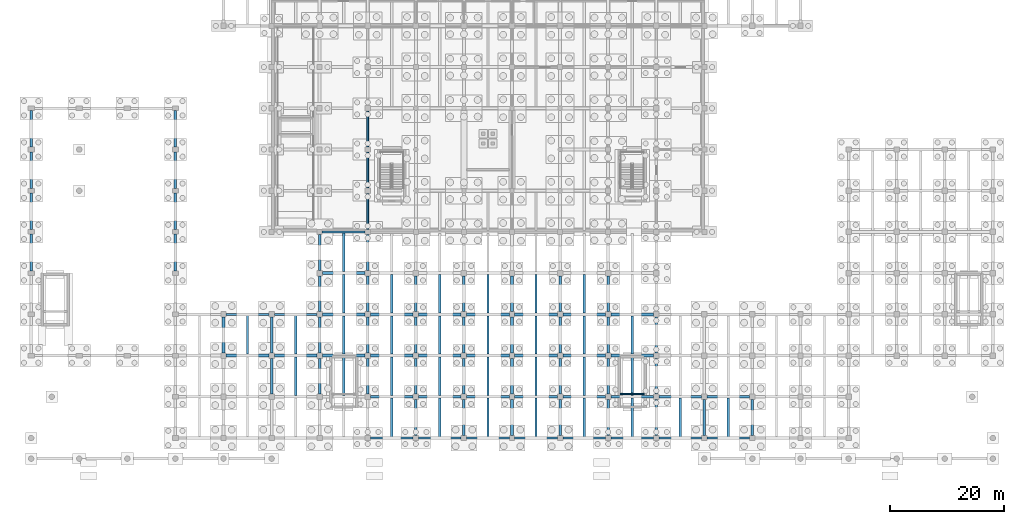
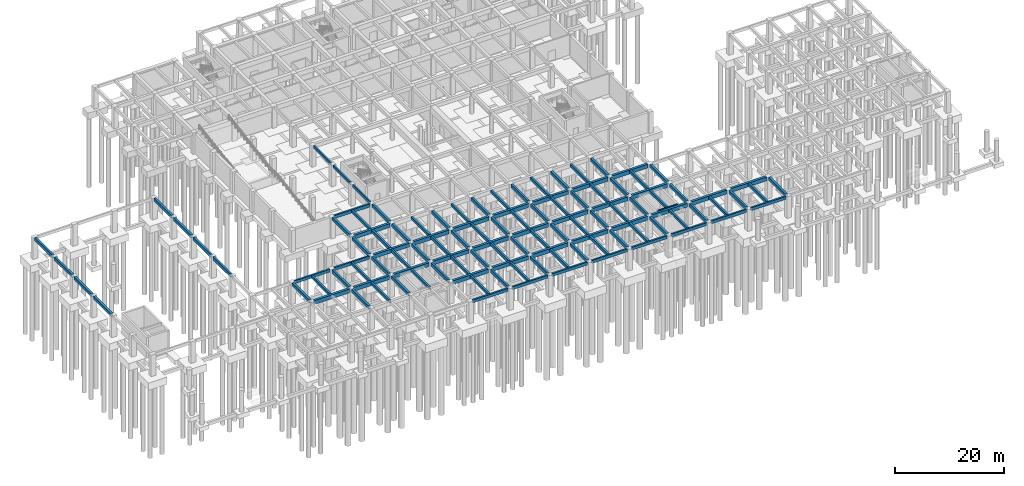
# One storey, part 13 of 26: 116 beams.
"""IFC4 building model written with IfcOpenShell, lengths in metres."""

from ifc_helpers import new_model, si_unit, direction, frame, origin, origin_2d, place, context, subcontext, project, spatial, rectangle, extrude, material, material_profile, profile_set, type_object, element, save


model = new_model("IFC4")

# Units and contexts
model_context = context("Model", 3, precision=1e-05, world=origin(), true_north=direction((0.0, 1.0)))
body_context = subcontext(model_context, "Body", "Model", "MODEL_VIEW")
ifc_project = project(units=[si_unit("LENGTHUNIT", "METRE"), si_unit("AREAUNIT", "SQUARE_METRE"), si_unit("VOLUMEUNIT", "CUBIC_METRE"), si_unit("PLANEANGLEUNIT", "RADIAN"), si_unit("MASSUNIT", "GRAM", prefix="KILO")], contexts=[model_context])

# Site, building, storey
site_placement = place(None, origin())
site = spatial("IfcSite", under=ifc_project, at=site_placement, CompositionType="ELEMENT")
building_placement = place(site_placement, origin())
building = spatial("IfcBuilding", under=site, at=building_placement, Name="Kenerak Square Central Library", CompositionType="ELEMENT")
storey_placement = place(building_placement, frame((0.0, 0.0, -4.800048828125)))
storey = spatial("IfcBuildingStorey", under=building, at=storey_placement, Name="B1", CompositionType="ELEMENT", Elevation=-4.800048828125)

# Beams
ifc_material = material(Name="Concrete C40/50", Category="concrete")
ifc_material_profile_1 = material_profile(ifc_material, rectangle(XDim=0.300048828125, YDim=0.60009765625, at=origin_2d()), Name="RC 300x600")
ifc_profile_set_1 = profile_set([ifc_material_profile_1], Name="Concrete C40/50")
beam_type_1 = type_object("IfcBeamType", Name="Courtyard Spandrel Beam SP-02 RC 300x600 C40/50", PredefinedType="SPANDREL", material=ifc_profile_set_1)
for number, where, z_axis, x_axis, name in (
    (1, (66.800048828125, 53.25, 4.5), (0.0, 1.0, 0.0), (-1.0, 0.0, 0.0), "Beam SP-02 B1 0198"),
    (2, (66.800048828125, 60.449951171875, 4.5), (0.0, 1.0, 0.0), (-1.0, 0.0, 0.0), "Beam SP-02 B1 0199"),
    (3, (66.800048828125, 67.64990234375, 4.5), (0.0, 1.0, 0.0), (-1.0, 0.0, 0.0), "Beam SP-02 B1 0200"),
):
    element("IfcBeam", number, at=place(storey_placement, frame(where, z_axis=z_axis, x_axis=x_axis)), inside=storey, type_object=beam_type_1, Name=name, PredefinedType="SPANDREL", context=body_context, shape_type="SweptSolid", body=[
        extrude(rectangle(XDim=0.300048828125, YDim=0.60009765625, at=origin_2d()), origin(), (0.0, 0.0, 1.0), 6.300048828125),
    ])
ifc_material_profile_2 = material_profile(ifc_material, rectangle(XDim=0.35009765625, YDim=0.699951171875, at=origin_2d()), Name="RC 350x700")
ifc_profile_set_2 = profile_set([ifc_material_profile_2], Name="Concrete C40/50")
beam_type_2 = type_object("IfcBeamType", Name="Expressed Spandrel Beam SP-01 RC 350x700 C40/50", PredefinedType="SPANDREL", material=ifc_profile_set_2)
beam_1_placement = place(storey_placement, frame((58.85009765625, 52.800048828125, 4.449951171875), z_axis=(1.0, 0.0, 0.0), x_axis=(0.0, 1.0, 0.0)))
element("IfcBeam", 4, at=beam_1_placement, inside=storey, type_object=beam_type_2, Name="Beam SP-01 B1 0076", PredefinedType="SPANDREL", context=body_context, shape_type="SweptSolid", body=[
    extrude(rectangle(XDim=0.35009765625, YDim=0.699951171875, at=origin_2d()), origin(), (0.0, 0.0, 1.0), 7.5),
])
ifc_material_profile_3 = material_profile(ifc_material, rectangle(XDim=0.300048828125, YDim=0.5, at=origin_2d()), Name="RC 300x500")
ifc_profile_set_3 = profile_set([ifc_material_profile_3], Name="Concrete C40/50")
beam_type_3 = type_object("IfcBeamType", Name="Landing Support Beam B-08 RC 300x500 C40/50", PredefinedType="BEAM", material=ifc_profile_set_3)
beam_2_placement = place(storey_placement, frame((110.919921875, 24.510009765625, 4.550048828125), z_axis=(1.0, 0.0, 0.0), x_axis=(0.0, 1.0, 0.0)))
element("IfcBeam", 5, at=beam_2_placement, inside=storey, type_object=beam_type_3, Name="Stair Threshold Beam B-08 ST-05 L00", PredefinedType="BEAM", context=body_context, shape_type="SweptSolid", body=[
    extrude(rectangle(XDim=0.300048828125, YDim=0.5, at=origin_2d()), origin(), (0.0, 0.0, 1.0), 4.16015625),
])
ifc_material_profile_4 = material_profile(ifc_material, rectangle(XDim=0.35009765625, YDim=0.64990234375, at=origin_2d()), Name="RC 350x650")
ifc_profile_set_4 = profile_set([ifc_material_profile_4], Name="Concrete C40/50")
beam_type_4 = type_object("IfcBeamType", Name="Perimeter Plinth Spandrel SP-03 RC 350x650 C40/50", PredefinedType="SPANDREL", material=ifc_profile_set_4)
beam_3_placement = place(storey_placement, frame((67.27490234375, 16.800048828125, 4.47509765625), z_axis=(1.0, 0.0, 0.0), x_axis=(0.0, 1.0, 0.0)))
element("IfcBeam", 6, at=beam_3_placement, inside=storey, type_object=beam_type_4, Name="Beam SP-03 B1 0005", PredefinedType="SPANDREL", context=body_context, shape_type="SweptSolid", body=[
    extrude(rectangle(XDim=0.35009765625, YDim=0.64990234375, at=origin_2d()), origin(), (0.0, 0.0, 1.0), 7.4501953125),
])
for number, where, z_axis, x_axis, name in (
    (7, (75.675048828125, 16.800048828125, 4.47509765625), (1.0, 0.0, 0.0), (0.0, 1.0, 0.0), "Beam SP-03 B1 0006"),
    (8, (84.074951171875, 16.800048828125, 4.47509765625), (1.0, 0.0, 0.0), (0.0, 1.0, 0.0), "Beam SP-03 B1 0007"),
    (9, (92.47509765625, 16.800048828125, 4.47509765625), (1.0, 0.0, 0.0), (0.0, 1.0, 0.0), "Beam SP-03 B1 0008"),
    (10, (100.875, 16.800048828125, 4.47509765625), (1.0, 0.0, 0.0), (0.0, 1.0, 0.0), "Beam SP-03 B1 0009"),
):
    element("IfcBeam", number, at=place(storey_placement, frame(where, z_axis=z_axis, x_axis=x_axis)), inside=storey, type_object=beam_type_4, Name=name, PredefinedType="SPANDREL", context=body_context, shape_type="SweptSolid", body=[
        extrude(rectangle(XDim=0.35009765625, YDim=0.64990234375, at=origin_2d()), origin(), (0.0, 0.0, 1.0), 7.449951171875),
    ])
beam_4_placement = place(storey_placement, frame((109.27490234375, 16.800048828125, 4.47509765625), z_axis=(1.0, 0.0, 0.0), x_axis=(0.0, 1.0, 0.0)))
element("IfcBeam", 11, at=beam_4_placement, inside=storey, type_object=beam_type_4, Name="Beam SP-03 B1 0010", PredefinedType="SPANDREL", context=body_context, shape_type="SweptSolid", body=[
    extrude(rectangle(XDim=0.35009765625, YDim=0.64990234375, at=origin_2d()), origin(), (0.0, 0.0, 1.0), 7.4501953125),
])
for number, where, z_axis, x_axis, name in (
    (12, (117.675048828125, 16.800048828125, 4.47509765625), (1.0, 0.0, 0.0), (0.0, 1.0, 0.0), "Beam SP-03 B1 0011"),
    (13, (126.074951171875, 16.800048828125, 4.47509765625), (1.0, 0.0, 0.0), (0.0, 1.0, 0.0), "Beam SP-03 B1 0012"),
    (14, (42.074951171875, 38.39990234375, 4.47509765625), (1.0, 0.0, 0.0), (0.0, 1.0, 0.0), "Beam SP-03 B1 0050"),
    (15, (50.47509765625, 38.39990234375, 4.47509765625), (1.0, 0.0, 0.0), (0.0, 1.0, 0.0), "Beam SP-03 B1 0051"),
):
    element("IfcBeam", number, at=place(storey_placement, frame(where, z_axis=z_axis, x_axis=x_axis)), inside=storey, type_object=beam_type_4, Name=name, PredefinedType="SPANDREL", context=body_context, shape_type="SweptSolid", body=[
        extrude(rectangle(XDim=0.35009765625, YDim=0.64990234375, at=origin_2d()), origin(), (0.0, 0.0, 1.0), 7.449951171875),
    ])
ifc_material_profile_5 = material_profile(ifc_material, rectangle(XDim=0.39990234375, YDim=0.60009765625, at=origin_2d()), Name="RC 400x600")
ifc_profile_set_5 = profile_set([ifc_material_profile_5], Name="Concrete C40/50")
beam_type_5 = type_object("IfcBeamType", Name="Secondary Floor Joist J-01 RC 400x600 C40/50", PredefinedType="JOIST", material=ifc_profile_set_5)
beam_5_placement = place(storey_placement, frame((45.800048828125, 31.449951171875, 4.5), z_axis=(0.0, 1.0, 0.0), x_axis=(-1.0, 0.0, 0.0)))
element("IfcBeam", 16, at=beam_5_placement, inside=storey, type_object=beam_type_5, Name="Joist J-01 B1 0331", PredefinedType="JOIST", context=body_context, shape_type="SweptSolid", body=[
    extrude(rectangle(XDim=0.39990234375, YDim=0.60009765625, at=origin_2d()), origin(), (0.0, 0.0, 1.0), 6.775146484375),
])
beam_6_placement = place(storey_placement, frame((54.199951171875, 24.25, 4.5), z_axis=(0.0, 1.0, 0.0), x_axis=(-1.0, 0.0, 0.0)))
element("IfcBeam", 17, at=beam_6_placement, inside=storey, type_object=beam_type_5, Name="Joist J-01 B1 0336", PredefinedType="JOIST", context=body_context, shape_type="SweptSolid", body=[
    extrude(rectangle(XDim=0.39990234375, YDim=0.60009765625, at=origin_2d()), origin(), (0.0, 0.0, 1.0), 6.699951171875),
])
beam_7_placement = place(storey_placement, frame((54.199951171875, 31.449951171875, 4.5), z_axis=(0.0, 1.0, 0.0), x_axis=(-1.0, 0.0, 0.0)))
element("IfcBeam", 18, at=beam_7_placement, inside=storey, type_object=beam_type_5, Name="Joist J-01 B1 0337", PredefinedType="JOIST", context=body_context, shape_type="SweptSolid", body=[
    extrude(rectangle(XDim=0.39990234375, YDim=0.60009765625, at=origin_2d()), origin(), (0.0, 0.0, 1.0), 6.775146484375),
])
for number, where, z_axis, x_axis, name in (
    (19, (62.60009765625, 24.25, 4.5), (0.0, 1.0, 0.0), (-1.0, 0.0, 0.0), "Joist J-01 B1 0342"),
    (20, (62.60009765625, 31.449951171875, 4.5), (0.0, 1.0, 0.0), (-1.0, 0.0, 0.0), "Joist J-01 B1 0343"),
):
    element("IfcBeam", number, at=place(storey_placement, frame(where, z_axis=z_axis, x_axis=x_axis)), inside=storey, type_object=beam_type_5, Name=name, PredefinedType="JOIST", context=body_context, shape_type="SweptSolid", body=[
        extrude(rectangle(XDim=0.39990234375, YDim=0.60009765625, at=origin_2d()), origin(), (0.0, 0.0, 1.0), 6.699951171875),
    ])
beam_8_placement = place(storey_placement, frame((62.60009765625, 38.64990234375, 4.5), z_axis=(0.0, 1.0, 0.0), x_axis=(-1.0, 0.0, 0.0)))
element("IfcBeam", 21, at=beam_8_placement, inside=storey, type_object=beam_type_5, Name="Joist J-01 B1 0344", PredefinedType="JOIST", context=body_context, shape_type="SweptSolid", body=[
    extrude(rectangle(XDim=0.39990234375, YDim=0.60009765625, at=origin_2d()), origin(), (0.0, 0.0, 1.0), 6.7001953125),
])
for number, where, z_axis, x_axis, name in (
    (22, (62.60009765625, 45.85009765625, 4.5), (0.0, 1.0, 0.0), (-1.0, 0.0, 0.0), "Joist J-01 B1 0345"),
    (23, (71.0, 16.97509765625, 4.5), (0.0, 1.0, 0.0), (-1.0, 0.0, 0.0), "Joist J-01 B1 0347"),
):
    element("IfcBeam", number, at=place(storey_placement, frame(where, z_axis=z_axis, x_axis=x_axis)), inside=storey, type_object=beam_type_5, Name=name, PredefinedType="JOIST", context=body_context, shape_type="SweptSolid", body=[
        extrude(rectangle(XDim=0.39990234375, YDim=0.60009765625, at=origin_2d()), origin(), (0.0, 0.0, 1.0), 6.77490234375),
    ])
for number, where, z_axis, x_axis, name in (
    (24, (71.0, 24.25, 4.5), (0.0, 1.0, 0.0), (-1.0, 0.0, 0.0), "Joist J-01 B1 0348"),
    (25, (71.0, 31.449951171875, 4.5), (0.0, 1.0, 0.0), (-1.0, 0.0, 0.0), "Joist J-01 B1 0349"),
):
    element("IfcBeam", number, at=place(storey_placement, frame(where, z_axis=z_axis, x_axis=x_axis)), inside=storey, type_object=beam_type_5, Name=name, PredefinedType="JOIST", context=body_context, shape_type="SweptSolid", body=[
        extrude(rectangle(XDim=0.39990234375, YDim=0.60009765625, at=origin_2d()), origin(), (0.0, 0.0, 1.0), 6.699951171875),
    ])
beam_9_placement = place(storey_placement, frame((71.0, 38.64990234375, 4.5), z_axis=(0.0, 1.0, 0.0), x_axis=(-1.0, 0.0, 0.0)))
element("IfcBeam", 26, at=beam_9_placement, inside=storey, type_object=beam_type_5, Name="Joist J-01 B1 0350", PredefinedType="JOIST", context=body_context, shape_type="SweptSolid", body=[
    extrude(rectangle(XDim=0.39990234375, YDim=0.60009765625, at=origin_2d()), origin(), (0.0, 0.0, 1.0), 6.7001953125),
])
beam_10_placement = place(storey_placement, frame((79.39990234375, 16.97509765625, 4.5), z_axis=(0.0, 1.0, 0.0), x_axis=(-1.0, 0.0, 0.0)))
element("IfcBeam", 27, at=beam_10_placement, inside=storey, type_object=beam_type_5, Name="Joist J-01 B1 0357", PredefinedType="JOIST", context=body_context, shape_type="SweptSolid", body=[
    extrude(rectangle(XDim=0.39990234375, YDim=0.60009765625, at=origin_2d()), origin(), (0.0, 0.0, 1.0), 6.77490234375),
])
for number, where, z_axis, x_axis, name in (
    (28, (79.39990234375, 24.25, 4.5), (0.0, 1.0, 0.0), (-1.0, 0.0, 0.0), "Joist J-01 B1 0358"),
    (29, (79.39990234375, 31.449951171875, 4.5), (0.0, 1.0, 0.0), (-1.0, 0.0, 0.0), "Joist J-01 B1 0359"),
):
    element("IfcBeam", number, at=place(storey_placement, frame(where, z_axis=z_axis, x_axis=x_axis)), inside=storey, type_object=beam_type_5, Name=name, PredefinedType="JOIST", context=body_context, shape_type="SweptSolid", body=[
        extrude(rectangle(XDim=0.39990234375, YDim=0.60009765625, at=origin_2d()), origin(), (0.0, 0.0, 1.0), 6.699951171875),
    ])
beam_11_placement = place(storey_placement, frame((79.39990234375, 38.64990234375, 4.5), z_axis=(0.0, 1.0, 0.0), x_axis=(-1.0, 0.0, 0.0)))
element("IfcBeam", 30, at=beam_11_placement, inside=storey, type_object=beam_type_5, Name="Joist J-01 B1 0360", PredefinedType="JOIST", context=body_context, shape_type="SweptSolid", body=[
    extrude(rectangle(XDim=0.39990234375, YDim=0.60009765625, at=origin_2d()), origin(), (0.0, 0.0, 1.0), 6.7001953125),
])
beam_12_placement = place(storey_placement, frame((87.800048828125, 16.97509765625, 4.5), z_axis=(0.0, 1.0, 0.0), x_axis=(-1.0, 0.0, 0.0)))
element("IfcBeam", 31, at=beam_12_placement, inside=storey, type_object=beam_type_5, Name="Joist J-01 B1 0368", PredefinedType="JOIST", context=body_context, shape_type="SweptSolid", body=[
    extrude(rectangle(XDim=0.39990234375, YDim=0.60009765625, at=origin_2d()), origin(), (0.0, 0.0, 1.0), 6.77490234375),
])
for number, where, z_axis, x_axis, name in (
    (32, (87.800048828125, 24.25, 4.5), (0.0, 1.0, 0.0), (-1.0, 0.0, 0.0), "Joist J-01 B1 0369"),
    (33, (87.800048828125, 31.449951171875, 4.5), (0.0, 1.0, 0.0), (-1.0, 0.0, 0.0), "Joist J-01 B1 0370"),
):
    element("IfcBeam", number, at=place(storey_placement, frame(where, z_axis=z_axis, x_axis=x_axis)), inside=storey, type_object=beam_type_5, Name=name, PredefinedType="JOIST", context=body_context, shape_type="SweptSolid", body=[
        extrude(rectangle(XDim=0.39990234375, YDim=0.60009765625, at=origin_2d()), origin(), (0.0, 0.0, 1.0), 6.699951171875),
    ])
beam_13_placement = place(storey_placement, frame((87.800048828125, 38.64990234375, 4.5), z_axis=(0.0, 1.0, 0.0), x_axis=(-1.0, 0.0, 0.0)))
element("IfcBeam", 34, at=beam_13_placement, inside=storey, type_object=beam_type_5, Name="Joist J-01 B1 0371", PredefinedType="JOIST", context=body_context, shape_type="SweptSolid", body=[
    extrude(rectangle(XDim=0.39990234375, YDim=0.60009765625, at=origin_2d()), origin(), (0.0, 0.0, 1.0), 6.7001953125),
])
beam_14_placement = place(storey_placement, frame((96.199951171875, 16.97509765625, 4.5), z_axis=(0.0, 1.0, 0.0), x_axis=(-1.0, 0.0, 0.0)))
element("IfcBeam", 35, at=beam_14_placement, inside=storey, type_object=beam_type_5, Name="Joist J-01 B1 0377", PredefinedType="JOIST", context=body_context, shape_type="SweptSolid", body=[
    extrude(rectangle(XDim=0.39990234375, YDim=0.60009765625, at=origin_2d()), origin(), (0.0, 0.0, 1.0), 6.77490234375),
])
for number, where, z_axis, x_axis, name in (
    (36, (96.199951171875, 24.25, 4.5), (0.0, 1.0, 0.0), (-1.0, 0.0, 0.0), "Joist J-01 B1 0378"),
    (37, (96.199951171875, 31.449951171875, 4.5), (0.0, 1.0, 0.0), (-1.0, 0.0, 0.0), "Joist J-01 B1 0379"),
):
    element("IfcBeam", number, at=place(storey_placement, frame(where, z_axis=z_axis, x_axis=x_axis)), inside=storey, type_object=beam_type_5, Name=name, PredefinedType="JOIST", context=body_context, shape_type="SweptSolid", body=[
        extrude(rectangle(XDim=0.39990234375, YDim=0.60009765625, at=origin_2d()), origin(), (0.0, 0.0, 1.0), 6.699951171875),
    ])
beam_15_placement = place(storey_placement, frame((96.199951171875, 38.64990234375, 4.5), z_axis=(0.0, 1.0, 0.0), x_axis=(-1.0, 0.0, 0.0)))
element("IfcBeam", 38, at=beam_15_placement, inside=storey, type_object=beam_type_5, Name="Joist J-01 B1 0380", PredefinedType="JOIST", context=body_context, shape_type="SweptSolid", body=[
    extrude(rectangle(XDim=0.39990234375, YDim=0.60009765625, at=origin_2d()), origin(), (0.0, 0.0, 1.0), 6.7001953125),
])
beam_16_placement = place(storey_placement, frame((104.60009765625, 16.97509765625, 4.5), z_axis=(0.0, 1.0, 0.0), x_axis=(-1.0, 0.0, 0.0)))
element("IfcBeam", 39, at=beam_16_placement, inside=storey, type_object=beam_type_5, Name="Joist J-01 B1 0389", PredefinedType="JOIST", context=body_context, shape_type="SweptSolid", body=[
    extrude(rectangle(XDim=0.39990234375, YDim=0.60009765625, at=origin_2d()), origin(), (0.0, 0.0, 1.0), 6.77490234375),
])
for number, where, z_axis, x_axis, name in (
    (40, (104.60009765625, 24.25, 4.5), (0.0, 1.0, 0.0), (-1.0, 0.0, 0.0), "Joist J-01 B1 0390"),
    (41, (104.60009765625, 31.449951171875, 4.5), (0.0, 1.0, 0.0), (-1.0, 0.0, 0.0), "Joist J-01 B1 0391"),
):
    element("IfcBeam", number, at=place(storey_placement, frame(where, z_axis=z_axis, x_axis=x_axis)), inside=storey, type_object=beam_type_5, Name=name, PredefinedType="JOIST", context=body_context, shape_type="SweptSolid", body=[
        extrude(rectangle(XDim=0.39990234375, YDim=0.60009765625, at=origin_2d()), origin(), (0.0, 0.0, 1.0), 6.699951171875),
    ])
beam_17_placement = place(storey_placement, frame((104.60009765625, 38.64990234375, 4.5), z_axis=(0.0, 1.0, 0.0), x_axis=(-1.0, 0.0, 0.0)))
element("IfcBeam", 42, at=beam_17_placement, inside=storey, type_object=beam_type_5, Name="Joist J-01 B1 0392", PredefinedType="JOIST", context=body_context, shape_type="SweptSolid", body=[
    extrude(rectangle(XDim=0.39990234375, YDim=0.60009765625, at=origin_2d()), origin(), (0.0, 0.0, 1.0), 6.7001953125),
])
beam_18_placement = place(storey_placement, frame((113.0, 16.97509765625, 4.5), z_axis=(0.0, 1.0, 0.0), x_axis=(-1.0, 0.0, 0.0)))
element("IfcBeam", 43, at=beam_18_placement, inside=storey, type_object=beam_type_5, Name="Joist J-01 B1 0403", PredefinedType="JOIST", context=body_context, shape_type="SweptSolid", body=[
    extrude(rectangle(XDim=0.39990234375, YDim=0.60009765625, at=origin_2d()), origin(), (0.0, 0.0, 1.0), 6.77490234375),
])
for number, where, z_axis, x_axis, name in (
    (44, (113.0, 24.25, 4.5), (0.0, 1.0, 0.0), (-1.0, 0.0, 0.0), "Joist J-01 B1 0404"),
    (45, (113.0, 31.449951171875, 4.5), (0.0, 1.0, 0.0), (-1.0, 0.0, 0.0), "Joist J-01 B1 0405"),
):
    element("IfcBeam", number, at=place(storey_placement, frame(where, z_axis=z_axis, x_axis=x_axis)), inside=storey, type_object=beam_type_5, Name=name, PredefinedType="JOIST", context=body_context, shape_type="SweptSolid", body=[
        extrude(rectangle(XDim=0.39990234375, YDim=0.60009765625, at=origin_2d()), origin(), (0.0, 0.0, 1.0), 6.699951171875),
    ])
for number, where, z_axis, x_axis, name in (
    (46, (121.39990234375, 16.97509765625, 4.5), (0.0, 1.0, 0.0), (-1.0, 0.0, 0.0), "Joist J-01 B1 0411"),
    (47, (129.800048828125, 16.97509765625, 4.5), (0.0, 1.0, 0.0), (-1.0, 0.0, 0.0), "Joist J-01 B1 0417"),
):
    element("IfcBeam", number, at=place(storey_placement, frame(where, z_axis=z_axis, x_axis=x_axis)), inside=storey, type_object=beam_type_5, Name=name, PredefinedType="JOIST", context=body_context, shape_type="SweptSolid", body=[
        extrude(rectangle(XDim=0.39990234375, YDim=0.60009765625, at=origin_2d()), origin(), (0.0, 0.0, 1.0), 6.77490234375),
    ])
ifc_material_profile_6 = material_profile(ifc_material, rectangle(XDim=0.5, YDim=0.85009765625, at=origin_2d()), Name="RC 500x850")
ifc_profile_set_6 = profile_set([ifc_material_profile_6], Name="Concrete C40/50")
beam_type_6 = type_object("IfcBeamType", Name="Sub-Grade Plinth Girder B-09 RC 500x850 C40/50", PredefinedType="BEAM", material=ifc_profile_set_6)
beam_19_placement = place(storey_placement, frame((67.27490234375, 24.0, 4.375), z_axis=(1.0, 0.0, 0.0), x_axis=(0.0, 1.0, 0.0)))
element("IfcBeam", 48, at=beam_19_placement, inside=storey, type_object=beam_type_6, Name="Beam B-09 B1 0019", PredefinedType="BEAM", context=body_context, shape_type="SweptSolid", body=[
    extrude(rectangle(XDim=0.5, YDim=0.85009765625, at=origin_2d()), origin(), (0.0, 0.0, 1.0), 7.4501953125),
])
for number, where, z_axis, x_axis, name in (
    (49, (75.675048828125, 24.0, 4.375), (1.0, 0.0, 0.0), (0.0, 1.0, 0.0), "Beam B-09 B1 0020"),
    (50, (84.074951171875, 24.0, 4.375), (1.0, 0.0, 0.0), (0.0, 1.0, 0.0), "Beam B-09 B1 0021"),
    (51, (92.47509765625, 24.0, 4.375), (1.0, 0.0, 0.0), (0.0, 1.0, 0.0), "Beam B-09 B1 0022"),
    (52, (100.875, 24.0, 4.375), (1.0, 0.0, 0.0), (0.0, 1.0, 0.0), "Beam B-09 B1 0023"),
):
    element("IfcBeam", number, at=place(storey_placement, frame(where, z_axis=z_axis, x_axis=x_axis)), inside=storey, type_object=beam_type_6, Name=name, PredefinedType="BEAM", context=body_context, shape_type="SweptSolid", body=[
        extrude(rectangle(XDim=0.5, YDim=0.85009765625, at=origin_2d()), origin(), (0.0, 0.0, 1.0), 7.449951171875),
    ])
beam_20_placement = place(storey_placement, frame((109.27490234375, 24.0, 4.375), z_axis=(1.0, 0.0, 0.0), x_axis=(0.0, 1.0, 0.0)))
element("IfcBeam", 53, at=beam_20_placement, inside=storey, type_object=beam_type_6, Name="Beam B-09 B1 0024", PredefinedType="BEAM", context=body_context, shape_type="SweptSolid", body=[
    extrude(rectangle(XDim=0.5, YDim=0.85009765625, at=origin_2d()), origin(), (0.0, 0.0, 1.0), 7.4501953125),
])
for number, where, z_axis, x_axis, name in (
    (54, (117.675048828125, 24.0, 4.375), (1.0, 0.0, 0.0), (0.0, 1.0, 0.0), "Beam B-09 B1 0025"),
    (55, (126.074951171875, 24.0, 4.375), (1.0, 0.0, 0.0), (0.0, 1.0, 0.0), "Beam B-09 B1 0026"),
    (56, (42.074951171875, 31.199951171875, 4.375), (1.0, 0.0, 0.0), (0.0, 1.0, 0.0), "Beam B-09 B1 0033"),
    (57, (50.47509765625, 31.199951171875, 4.375), (1.0, 0.0, 0.0), (0.0, 1.0, 0.0), "Beam B-09 B1 0034"),
    (58, (58.875, 31.199951171875, 4.375), (1.0, 0.0, 0.0), (0.0, 1.0, 0.0), "Beam B-09 B1 0035"),
):
    element("IfcBeam", number, at=place(storey_placement, frame(where, z_axis=z_axis, x_axis=x_axis)), inside=storey, type_object=beam_type_6, Name=name, PredefinedType="BEAM", context=body_context, shape_type="SweptSolid", body=[
        extrude(rectangle(XDim=0.5, YDim=0.85009765625, at=origin_2d()), origin(), (0.0, 0.0, 1.0), 7.449951171875),
    ])
beam_21_placement = place(storey_placement, frame((67.27490234375, 31.199951171875, 4.375), z_axis=(1.0, 0.0, 0.0), x_axis=(0.0, 1.0, 0.0)))
element("IfcBeam", 59, at=beam_21_placement, inside=storey, type_object=beam_type_6, Name="Beam B-09 B1 0036", PredefinedType="BEAM", context=body_context, shape_type="SweptSolid", body=[
    extrude(rectangle(XDim=0.5, YDim=0.85009765625, at=origin_2d()), origin(), (0.0, 0.0, 1.0), 7.4501953125),
])
for number, where, z_axis, x_axis, name in (
    (60, (75.675048828125, 31.199951171875, 4.375), (1.0, 0.0, 0.0), (0.0, 1.0, 0.0), "Beam B-09 B1 0037"),
    (61, (84.074951171875, 31.199951171875, 4.375), (1.0, 0.0, 0.0), (0.0, 1.0, 0.0), "Beam B-09 B1 0038"),
    (62, (92.47509765625, 31.199951171875, 4.375), (1.0, 0.0, 0.0), (0.0, 1.0, 0.0), "Beam B-09 B1 0039"),
    (63, (100.875, 31.199951171875, 4.375), (1.0, 0.0, 0.0), (0.0, 1.0, 0.0), "Beam B-09 B1 0040"),
):
    element("IfcBeam", number, at=place(storey_placement, frame(where, z_axis=z_axis, x_axis=x_axis)), inside=storey, type_object=beam_type_6, Name=name, PredefinedType="BEAM", context=body_context, shape_type="SweptSolid", body=[
        extrude(rectangle(XDim=0.5, YDim=0.85009765625, at=origin_2d()), origin(), (0.0, 0.0, 1.0), 7.449951171875),
    ])
beam_22_placement = place(storey_placement, frame((109.27490234375, 31.199951171875, 4.375), z_axis=(1.0, 0.0, 0.0), x_axis=(0.0, 1.0, 0.0)))
element("IfcBeam", 64, at=beam_22_placement, inside=storey, type_object=beam_type_6, Name="Beam B-09 B1 0041", PredefinedType="BEAM", context=body_context, shape_type="SweptSolid", body=[
    extrude(rectangle(XDim=0.5, YDim=0.85009765625, at=origin_2d()), origin(), (0.0, 0.0, 1.0), 7.4501953125),
])
beam_23_placement = place(storey_placement, frame((58.875, 38.39990234375, 4.375), z_axis=(1.0, 0.0, 0.0), x_axis=(0.0, 1.0, 0.0)))
element("IfcBeam", 65, at=beam_23_placement, inside=storey, type_object=beam_type_6, Name="Beam B-09 B1 0052", PredefinedType="BEAM", context=body_context, shape_type="SweptSolid", body=[
    extrude(rectangle(XDim=0.5, YDim=0.85009765625, at=origin_2d()), origin(), (0.0, 0.0, 1.0), 7.449951171875),
])
beam_24_placement = place(storey_placement, frame((67.27490234375, 38.39990234375, 4.375), z_axis=(1.0, 0.0, 0.0), x_axis=(0.0, 1.0, 0.0)))
element("IfcBeam", 66, at=beam_24_placement, inside=storey, type_object=beam_type_6, Name="Beam B-09 B1 0053", PredefinedType="BEAM", context=body_context, shape_type="SweptSolid", body=[
    extrude(rectangle(XDim=0.5, YDim=0.85009765625, at=origin_2d()), origin(), (0.0, 0.0, 1.0), 7.4501953125),
])
for number, where, z_axis, x_axis, name in (
    (67, (75.675048828125, 38.39990234375, 4.375), (1.0, 0.0, 0.0), (0.0, 1.0, 0.0), "Beam B-09 B1 0054"),
    (68, (84.074951171875, 38.39990234375, 4.375), (1.0, 0.0, 0.0), (0.0, 1.0, 0.0), "Beam B-09 B1 0055"),
    (69, (92.47509765625, 38.39990234375, 4.375), (1.0, 0.0, 0.0), (0.0, 1.0, 0.0), "Beam B-09 B1 0056"),
    (70, (100.875, 38.39990234375, 4.375), (1.0, 0.0, 0.0), (0.0, 1.0, 0.0), "Beam B-09 B1 0057"),
):
    element("IfcBeam", number, at=place(storey_placement, frame(where, z_axis=z_axis, x_axis=x_axis)), inside=storey, type_object=beam_type_6, Name=name, PredefinedType="BEAM", context=body_context, shape_type="SweptSolid", body=[
        extrude(rectangle(XDim=0.5, YDim=0.85009765625, at=origin_2d()), origin(), (0.0, 0.0, 1.0), 7.449951171875),
    ])
beam_25_placement = place(storey_placement, frame((109.27490234375, 38.39990234375, 4.375), z_axis=(1.0, 0.0, 0.0), x_axis=(0.0, 1.0, 0.0)))
element("IfcBeam", 71, at=beam_25_placement, inside=storey, type_object=beam_type_6, Name="Beam B-09 B1 0058", PredefinedType="BEAM", context=body_context, shape_type="SweptSolid", body=[
    extrude(rectangle(XDim=0.5, YDim=0.85009765625, at=origin_2d()), origin(), (0.0, 0.0, 1.0), 7.4501953125),
])
beam_26_placement = place(storey_placement, frame((58.875, 45.60009765625, 4.375), z_axis=(1.0, 0.0, 0.0), x_axis=(0.0, 1.0, 0.0)))
element("IfcBeam", 72, at=beam_26_placement, inside=storey, type_object=beam_type_6, Name="Beam B-09 B1 0066", PredefinedType="BEAM", context=body_context, shape_type="SweptSolid", body=[
    extrude(rectangle(XDim=0.5, YDim=0.85009765625, at=origin_2d()), origin(), (0.0, 0.0, 1.0), 7.449951171875),
])
ifc_material_profile_7 = material_profile(ifc_material, rectangle(XDim=0.449951171875, YDim=0.699951171875, at=origin_2d()), Name="RC 450x700")
ifc_profile_set_7 = profile_set([ifc_material_profile_7], Name="Concrete C40/50")
beam_type_7 = type_object("IfcBeamType", Name="Sub-Grade Tie Beam B-10 RC 450x700 C40/50", PredefinedType="BEAM", material=ifc_profile_set_7)
beam_27_placement = place(storey_placement, frame((8.0, 46.0, 4.449951171875), z_axis=(0.0, 1.0, 0.0), x_axis=(-1.0, 0.0, 0.0)))
element("IfcBeam", 73, at=beam_27_placement, inside=storey, type_object=beam_type_7, Name="Beam B-10 B1 0161", PredefinedType="BEAM", context=body_context, shape_type="SweptSolid", body=[
    extrude(rectangle(XDim=0.449951171875, YDim=0.699951171875, at=origin_2d()), origin(), (0.0, 0.0, 1.0), 6.39990234375),
])
for number, where, z_axis, x_axis, name in (
    (74, (8.0, 53.199951171875, 4.449951171875), (0.0, 1.0, 0.0), (-1.0, 0.0, 0.0), "Beam B-10 B1 0162"),
    (75, (8.0, 60.39990234375, 4.449951171875), (0.0, 1.0, 0.0), (-1.0, 0.0, 0.0), "Beam B-10 B1 0163"),
):
    element("IfcBeam", number, at=place(storey_placement, frame(where, z_axis=z_axis, x_axis=x_axis)), inside=storey, type_object=beam_type_7, Name=name, PredefinedType="BEAM", context=body_context, shape_type="SweptSolid", body=[
        extrude(rectangle(XDim=0.449951171875, YDim=0.699951171875, at=origin_2d()), origin(), (0.0, 0.0, 1.0), 6.400146484375),
    ])
for number, where, z_axis, x_axis, name in (
    (76, (8.0, 67.60009765625, 4.449951171875), (0.0, 1.0, 0.0), (-1.0, 0.0, 0.0), "Beam B-10 B1 0164"),
    (77, (33.199951171875, 46.0, 4.449951171875), (0.0, 1.0, 0.0), (-1.0, 0.0, 0.0), "Beam B-10 B1 0169"),
):
    element("IfcBeam", number, at=place(storey_placement, frame(where, z_axis=z_axis, x_axis=x_axis)), inside=storey, type_object=beam_type_7, Name=name, PredefinedType="BEAM", context=body_context, shape_type="SweptSolid", body=[
        extrude(rectangle(XDim=0.449951171875, YDim=0.699951171875, at=origin_2d()), origin(), (0.0, 0.0, 1.0), 6.39990234375),
    ])
for number, where, z_axis, x_axis, name in (
    (78, (33.199951171875, 53.199951171875, 4.449951171875), (0.0, 1.0, 0.0), (-1.0, 0.0, 0.0), "Beam B-10 B1 0170"),
    (79, (33.199951171875, 60.39990234375, 4.449951171875), (0.0, 1.0, 0.0), (-1.0, 0.0, 0.0), "Beam B-10 B1 0171"),
):
    element("IfcBeam", number, at=place(storey_placement, frame(where, z_axis=z_axis, x_axis=x_axis)), inside=storey, type_object=beam_type_7, Name=name, PredefinedType="BEAM", context=body_context, shape_type="SweptSolid", body=[
        extrude(rectangle(XDim=0.449951171875, YDim=0.699951171875, at=origin_2d()), origin(), (0.0, 0.0, 1.0), 6.400146484375),
    ])
beam_28_placement = place(storey_placement, frame((33.199951171875, 67.60009765625, 4.449951171875), z_axis=(0.0, 1.0, 0.0), x_axis=(-1.0, 0.0, 0.0)))
element("IfcBeam", 80, at=beam_28_placement, inside=storey, type_object=beam_type_7, Name="Beam B-10 B1 0172", PredefinedType="BEAM", context=body_context, shape_type="SweptSolid", body=[
    extrude(rectangle(XDim=0.449951171875, YDim=0.699951171875, at=origin_2d()), origin(), (0.0, 0.0, 1.0), 6.39990234375),
])
for number, where, z_axis, x_axis, name in (
    (81, (41.60009765625, 31.675048828125, 4.449951171875), (0.0, 1.0, 0.0), (-1.0, 0.0, 0.0), "Beam B-10 B1 0175"),
    (82, (50.0, 24.47509765625, 4.449951171875), (0.0, 1.0, 0.0), (-1.0, 0.0, 0.0), "Beam B-10 B1 0180"),
    (83, (50.0, 31.675048828125, 4.449951171875), (0.0, 1.0, 0.0), (-1.0, 0.0, 0.0), "Beam B-10 B1 0181"),
    (84, (58.39990234375, 24.47509765625, 4.449951171875), (0.0, 1.0, 0.0), (-1.0, 0.0, 0.0), "Beam B-10 B1 0186"),
    (85, (58.39990234375, 31.675048828125, 4.449951171875), (0.0, 1.0, 0.0), (-1.0, 0.0, 0.0), "Beam B-10 B1 0187"),
    (86, (58.39990234375, 38.875, 4.449951171875), (0.0, 1.0, 0.0), (-1.0, 0.0, 0.0), "Beam B-10 B1 0188"),
):
    element("IfcBeam", number, at=place(storey_placement, frame(where, z_axis=z_axis, x_axis=x_axis)), inside=storey, type_object=beam_type_7, Name=name, PredefinedType="BEAM", context=body_context, shape_type="SweptSolid", body=[
        extrude(rectangle(XDim=0.449951171875, YDim=0.699951171875, at=origin_2d()), origin(), (0.0, 0.0, 1.0), 6.25),
    ])
beam_29_placement = place(storey_placement, frame((58.39990234375, 46.074951171875, 4.449951171875), z_axis=(0.0, 1.0, 0.0), x_axis=(-1.0, 0.0, 0.0)))
element("IfcBeam", 87, at=beam_29_placement, inside=storey, type_object=beam_type_7, Name="Beam B-10 B1 0189", PredefinedType="BEAM", context=body_context, shape_type="SweptSolid", body=[
    extrude(rectangle(XDim=0.449951171875, YDim=0.699951171875, at=origin_2d()), origin(), (0.0, 0.0, 1.0), 6.275146484375),
])
for number, where, z_axis, x_axis, name in (
    (88, (66.800048828125, 24.47509765625, 4.449951171875), (0.0, 1.0, 0.0), (-1.0, 0.0, 0.0), "Beam B-10 B1 0194"),
    (89, (66.800048828125, 31.675048828125, 4.449951171875), (0.0, 1.0, 0.0), (-1.0, 0.0, 0.0), "Beam B-10 B1 0195"),
    (90, (66.800048828125, 38.875, 4.449951171875), (0.0, 1.0, 0.0), (-1.0, 0.0, 0.0), "Beam B-10 B1 0196"),
):
    element("IfcBeam", number, at=place(storey_placement, frame(where, z_axis=z_axis, x_axis=x_axis)), inside=storey, type_object=beam_type_7, Name=name, PredefinedType="BEAM", context=body_context, shape_type="SweptSolid", body=[
        extrude(rectangle(XDim=0.449951171875, YDim=0.699951171875, at=origin_2d()), origin(), (0.0, 0.0, 1.0), 6.25),
    ])
beam_30_placement = place(storey_placement, frame((66.800048828125, 46.074951171875, 4.449951171875), z_axis=(0.0, 1.0, 0.0), x_axis=(-1.0, 0.0, 0.0)))
element("IfcBeam", 91, at=beam_30_placement, inside=storey, type_object=beam_type_7, Name="Beam B-10 B1 0197", PredefinedType="BEAM", context=body_context, shape_type="SweptSolid", body=[
    extrude(rectangle(XDim=0.449951171875, YDim=0.699951171875, at=origin_2d()), origin(), (0.0, 0.0, 1.0), 6.275146484375),
])
for number, where, z_axis, x_axis, name in (
    (92, (75.199951171875, 17.27490234375, 4.449951171875), (0.0, 1.0, 0.0), (-1.0, 0.0, 0.0), "Beam B-10 B1 0207"),
    (93, (75.199951171875, 24.47509765625, 4.449951171875), (0.0, 1.0, 0.0), (-1.0, 0.0, 0.0), "Beam B-10 B1 0208"),
    (94, (75.199951171875, 31.675048828125, 4.449951171875), (0.0, 1.0, 0.0), (-1.0, 0.0, 0.0), "Beam B-10 B1 0209"),
    (95, (75.199951171875, 38.875, 4.449951171875), (0.0, 1.0, 0.0), (-1.0, 0.0, 0.0), "Beam B-10 B1 0210"),
    (96, (83.60009765625, 17.27490234375, 4.449951171875), (0.0, 1.0, 0.0), (-1.0, 0.0, 0.0), "Beam B-10 B1 0221"),
    (97, (83.60009765625, 24.47509765625, 4.449951171875), (0.0, 1.0, 0.0), (-1.0, 0.0, 0.0), "Beam B-10 B1 0222"),
    (98, (83.60009765625, 31.675048828125, 4.449951171875), (0.0, 1.0, 0.0), (-1.0, 0.0, 0.0), "Beam B-10 B1 0223"),
    (99, (83.60009765625, 38.875, 4.449951171875), (0.0, 1.0, 0.0), (-1.0, 0.0, 0.0), "Beam B-10 B1 0224"),
    (100, (92.0, 17.27490234375, 4.449951171875), (0.0, 1.0, 0.0), (-1.0, 0.0, 0.0), "Beam B-10 B1 0233"),
    (101, (92.0, 24.47509765625, 4.449951171875), (0.0, 1.0, 0.0), (-1.0, 0.0, 0.0), "Beam B-10 B1 0234"),
    (102, (92.0, 31.675048828125, 4.449951171875), (0.0, 1.0, 0.0), (-1.0, 0.0, 0.0), "Beam B-10 B1 0235"),
    (103, (92.0, 38.875, 4.449951171875), (0.0, 1.0, 0.0), (-1.0, 0.0, 0.0), "Beam B-10 B1 0236"),
    (104, (100.39990234375, 17.27490234375, 4.449951171875), (0.0, 1.0, 0.0), (-1.0, 0.0, 0.0), "Beam B-10 B1 0245"),
    (105, (100.39990234375, 24.47509765625, 4.449951171875), (0.0, 1.0, 0.0), (-1.0, 0.0, 0.0), "Beam B-10 B1 0246"),
    (106, (100.39990234375, 31.675048828125, 4.449951171875), (0.0, 1.0, 0.0), (-1.0, 0.0, 0.0), "Beam B-10 B1 0247"),
    (107, (100.39990234375, 38.875, 4.449951171875), (0.0, 1.0, 0.0), (-1.0, 0.0, 0.0), "Beam B-10 B1 0248"),
    (108, (108.800048828125, 17.27490234375, 4.449951171875), (0.0, 1.0, 0.0), (-1.0, 0.0, 0.0), "Beam B-10 B1 0259"),
    (109, (108.800048828125, 24.47509765625, 4.449951171875), (0.0, 1.0, 0.0), (-1.0, 0.0, 0.0), "Beam B-10 B1 0260"),
    (110, (108.800048828125, 31.675048828125, 4.449951171875), (0.0, 1.0, 0.0), (-1.0, 0.0, 0.0), "Beam B-10 B1 0261"),
    (111, (108.800048828125, 38.875, 4.449951171875), (0.0, 1.0, 0.0), (-1.0, 0.0, 0.0), "Beam B-10 B1 0262"),
    (112, (117.199951171875, 17.27490234375, 4.449951171875), (0.0, 1.0, 0.0), (-1.0, 0.0, 0.0), "Beam B-10 B1 0273"),
    (113, (117.199951171875, 24.47509765625, 4.449951171875), (0.0, 1.0, 0.0), (-1.0, 0.0, 0.0), "Beam B-10 B1 0274"),
    (114, (117.199951171875, 31.675048828125, 4.449951171875), (0.0, 1.0, 0.0), (-1.0, 0.0, 0.0), "Beam B-10 B1 0275"),
    (115, (125.60009765625, 17.27490234375, 4.449951171875), (0.0, 1.0, 0.0), (-1.0, 0.0, 0.0), "Beam B-10 B1 0286"),
    (116, (134.0, 17.27490234375, 4.449951171875), (0.0, 1.0, 0.0), (-1.0, 0.0, 0.0), "Beam B-10 B1 0292"),
):
    element("IfcBeam", number, at=place(storey_placement, frame(where, z_axis=z_axis, x_axis=x_axis)), inside=storey, type_object=beam_type_7, Name=name, PredefinedType="BEAM", context=body_context, shape_type="SweptSolid", body=[
        extrude(rectangle(XDim=0.449951171875, YDim=0.699951171875, at=origin_2d()), origin(), (0.0, 0.0, 1.0), 6.25),
    ])

save(model, "model.ifc")
